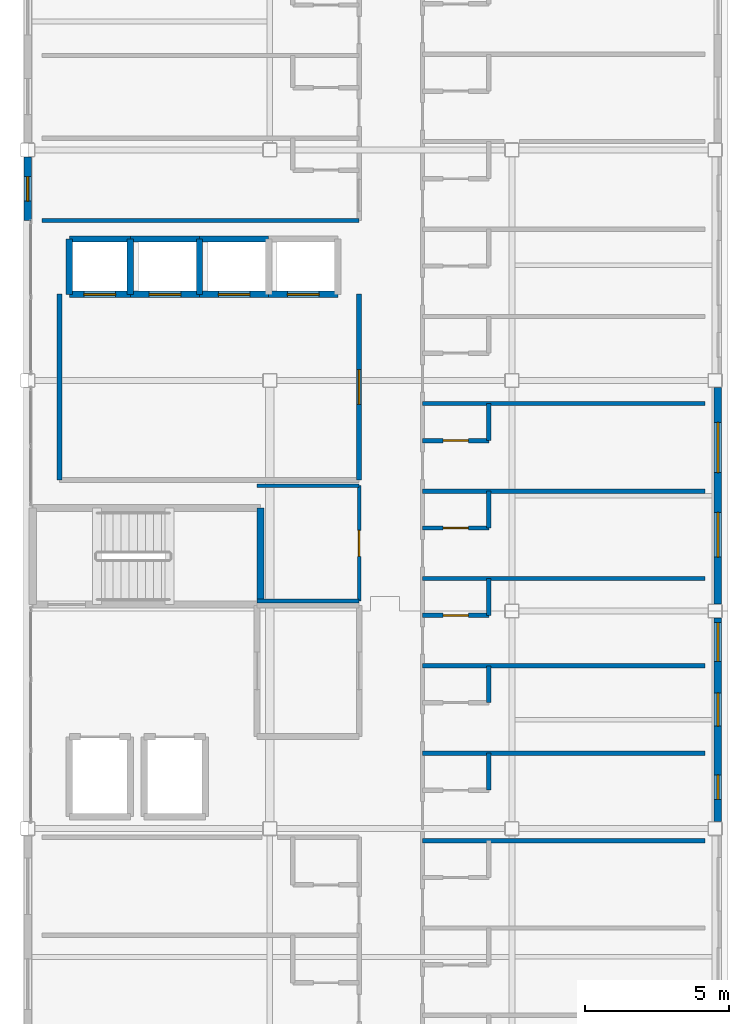
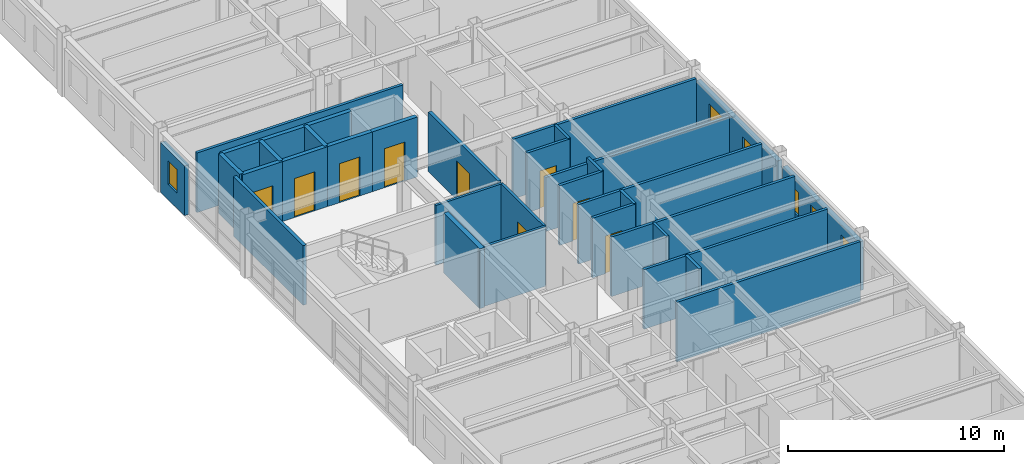
# One storey, part 27 of 33: 34 walls, 9 doors, 6 windows, 15 openings.
"""IFC4 building model written with IfcOpenShell, lengths in metres."""

from ifc_helpers import new_model, si_unit, direction, frame, frame_2d, origin, place, context, subcontext, project, spatial, rectangle, extrude, material, layer, layer_set, type_object, element, fill, save


model = new_model("IFC4")

# Units and contexts
model_context = context("Model", 3, precision=1e-05, world=origin(), true_north=direction((0.0, 1.0)))
body_context = subcontext(model_context, "Body", "Model", "MODEL_VIEW")
ifc_project = project(units=[si_unit("LENGTHUNIT", "METRE"), si_unit("AREAUNIT", "SQUARE_METRE"), si_unit("VOLUMEUNIT", "CUBIC_METRE"), si_unit("PLANEANGLEUNIT", "RADIAN"), si_unit("MASSUNIT", "GRAM", prefix="KILO")], contexts=[model_context])

# Site, building, storey
site_placement = place(None, origin())
site = spatial("IfcSite", under=ifc_project, at=site_placement, CompositionType="ELEMENT")
building_placement = place(site_placement, origin())
building = spatial("IfcBuilding", under=site, at=building_placement, Name="Kazehara Bluff Congress Hotel", CompositionType="ELEMENT")
storey_placement = place(building_placement, frame((0.0, 0.0, 39.0)))
storey = spatial("IfcBuildingStorey", under=building, at=storey_placement, Name="L09", CompositionType="ELEMENT", Elevation=39.0)

# Wall
ifc_material_1 = material(Name="Concrete C40/50", Category="concrete")
ifc_layer_1 = layer(ifc_material_1, 0.25)
ifc_layer_set_1 = layer_set([ifc_layer_1], Name="Concrete C40/50")
wall_type_1 = type_object("IfcWallType", Name="TP-CW-RC", PredefinedType="SHEAR", material=ifc_layer_set_1)
wall_1_placement = place(storey_placement, frame((151.77490234375, 52.02490234375, 0.0), z_axis=(0.0, 0.0, 1.0), x_axis=(0.0, -1.0, 0.0)))
element("IfcWall", 1, at=wall_1_placement, inside=storey, type_object=wall_type_1, Name="L09 ST-11 core wall far", PredefinedType="SHEAR", context=body_context, shape_type="SweptSolid", body=[
    extrude(rectangle(XDim=3.349853515625, YDim=0.25, at=frame_2d((1.6748046875, 0.0))), origin(), (0.0, 0.0, 1.0), 3.3798828125),
])

# Wall, openings, windows
ifc_material_2 = material(Name="Precast concrete C40/50", Category="concrete")
ifc_layer_2 = layer(ifc_material_2, 0.260009765625)
ifc_layer_set_2 = layer_set([ifc_layer_2], Name="Precast concrete C40/50")
wall_type_2 = type_object("IfcWallType", Name="TP-EW-260", PredefinedType="SOLIDWALL", material=ifc_layer_set_2)
wall_2_placement = place(storey_placement, frame((167.64990234375, 48.199951171875, 0.0), z_axis=(0.0, 0.0, 1.0), x_axis=(0.0, -1.0, 0.0)))
wall_2 = element("IfcWall", 2, at=wall_2_placement, inside=storey, type_object=wall_type_2, Name="L09 hotel facade panel 134", PredefinedType="SOLIDWALL", context=body_context, shape_type="SweptSolid", body=[
    extrude(rectangle(XDim=7.050048828125, YDim=0.260009765625, at=frame_2d((3.52490234375, 0.0))), origin(), (0.0, 0.0, 1.0), 2.7548828125),
])
opening_1_placement = place(wall_2_placement, frame((5.43994140625, 0.0, 0.85009765625)))
opening_1 = element("IfcOpeningElement", 3, at=opening_1_placement, cuts=wall_2, Name="Opening WN-55", PredefinedType="OPENING", context=body_context, shape_type="SweptSolid", body=[
    extrude(rectangle(XDim=0.85009765625, YDim=1.35009765625, at=frame_2d((0.425048828125, 0.675048828125))), frame((0.0, 0.139892578125, 0.0), z_axis=(0.0, -1.0, 0.0), x_axis=(1.0, 0.0, 0.0)), (0.0, 0.0, 1.0), 0.280029296875),
])
opening_2_placement = place(wall_2_placement, frame((2.590087890625, 0.0, 0.85009765625)))
opening_2 = element("IfcOpeningElement", 4, at=opening_2_placement, cuts=wall_2, Name="Opening WN-01", PredefinedType="OPENING", context=body_context, shape_type="SweptSolid", body=[
    extrude(rectangle(XDim=1.14990234375, YDim=1.35009765625, at=frame_2d((0.574951171875, 0.675048828125))), frame((0.0, 0.139892578125, 0.0), z_axis=(0.0, -1.0, 0.0), x_axis=(1.0, 0.0, 0.0)), (0.0, 0.0, 1.0), 0.280029296875),
])
opening_3_placement = place(wall_2_placement, frame((0.14990234375, 0.0, 0.85009765625)))
opening_3 = element("IfcOpeningElement", 5, at=opening_3_placement, cuts=wall_2, Name="Opening WN-11", PredefinedType="OPENING", context=body_context, shape_type="SweptSolid", body=[
    extrude(rectangle(XDim=1.35009765625, YDim=1.35009765625, at=frame_2d((0.675048828125, 0.675048828125))), frame((0.0, 0.139892578125, 0.0), z_axis=(0.0, -1.0, 0.0), x_axis=(1.0, 0.0, 0.0)), (0.0, 0.0, 1.0), 0.280029296875),
])
ifc_material_3 = material(Name="Insulated low-E double glazing", Category="glass")
window_type_1 = type_object("IfcWindowType", Name="TP-WN-01", PartitioningType="SINGLE_PANEL", PredefinedType="WINDOW", material=ifc_material_3)
window_1_placement = place(opening_2_placement, origin())
window_1 = element("IfcWindow", 6, at=window_1_placement, inside=storey, type_object=window_type_1, Name="L09 guestroom window WN-01 263", OverallHeight=1.35009765625, OverallWidth=1.14990234375, PartitioningType="SINGLE_PANEL", PredefinedType="WINDOW", context=body_context, shape_type="SweptSolid", body=[
    extrude(rectangle(XDim=1.14990234375, YDim=1.35009765625, at=frame_2d((0.574951171875, 0.675048828125))), frame((0.0, 0.030029296875, 0.0), z_axis=(0.0, -1.0, 0.0), x_axis=(1.0, 0.0, 0.0)), (0.0, 0.0, 1.0), 0.06005859375),
])
fill(opening_2, window_1)
ifc_material_4 = material(Name="Insulated low-E double glazing", Category="glass")
window_type_2 = type_object("IfcWindowType", Name="TP-WN-11", PartitioningType="SINGLE_PANEL", PredefinedType="WINDOW", material=ifc_material_4)
window_2_placement = place(opening_3_placement, origin())
window_2 = element("IfcWindow", 7, at=window_2_placement, inside=storey, type_object=window_type_2, Name="L09 guestroom window WN-11 264", OverallHeight=1.35009765625, OverallWidth=1.35009765625, PartitioningType="SINGLE_PANEL", PredefinedType="WINDOW", context=body_context, shape_type="SweptSolid", body=[
    extrude(rectangle(XDim=1.35009765625, YDim=1.35009765625, at=frame_2d((0.675048828125, 0.675048828125))), frame((0.0, 0.030029296875, 0.0), z_axis=(0.0, -1.0, 0.0), x_axis=(1.0, 0.0, 0.0)), (0.0, 0.0, 1.0), 0.06005859375),
])
fill(opening_3, window_2)
ifc_material_5 = material(Name="Insulated low-E double glazing", Category="glass")
window_type_3 = type_object("IfcWindowType", Name="TP-WN-55", PartitioningType="SINGLE_PANEL", PredefinedType="WINDOW", material=ifc_material_5)
window_3_placement = place(opening_1_placement, origin())
window_3 = element("IfcWindow", 8, at=window_3_placement, inside=storey, type_object=window_type_3, Name="L09 guestroom window WN-55 262", OverallHeight=1.35009765625, OverallWidth=0.85009765625, PartitioningType="SINGLE_PANEL", PredefinedType="WINDOW", context=body_context, shape_type="SweptSolid", body=[
    extrude(rectangle(XDim=0.85009765625, YDim=1.35009765625, at=frame_2d((0.425048828125, 0.675048828125))), frame((0.0, 0.030029296875, 0.0), z_axis=(0.0, -1.0, 0.0), x_axis=(1.0, 0.0, 0.0)), (0.0, 0.0, 1.0), 0.06005859375),
])
fill(opening_1, window_3)

wall_3_placement = place(storey_placement, frame((167.64990234375, 56.199951171875, 0.0), z_axis=(0.0, 0.0, 1.0), x_axis=(0.0, -1.0, 0.0)))
wall_3 = element("IfcWall", 9, at=wall_3_placement, inside=storey, type_object=wall_type_2, Name="L09 hotel facade panel 135", PredefinedType="SOLIDWALL", context=body_context, shape_type="SweptSolid", body=[
    extrude(rectangle(XDim=7.5, YDim=0.260009765625, at=frame_2d((3.75, 0.0))), origin(), (0.0, 0.0, 1.0), 2.7548828125),
])
opening_4_placement = place(wall_3_placement, frame((4.330078125, 0.0, 0.85009765625)))
opening_4 = element("IfcOpeningElement", 10, at=opening_4_placement, cuts=wall_3, Name="Opening WN-21", PredefinedType="OPENING", context=body_context, shape_type="SweptSolid", body=[
    extrude(rectangle(XDim=1.550048828125, YDim=1.35009765625, at=frame_2d((0.77490234375, 0.675048828125))), frame((0.0, 0.139892578125, 0.0), z_axis=(0.0, -1.0, 0.0), x_axis=(1.0, 0.0, 0.0)), (0.0, 0.0, 1.0), 0.280029296875),
])
opening_5_placement = place(wall_3_placement, frame((1.199951171875, 0.0, 0.85009765625)))
opening_5 = element("IfcOpeningElement", 11, at=opening_5_placement, cuts=wall_3, Name="Opening WN-31", PredefinedType="OPENING", context=body_context, shape_type="SweptSolid", body=[
    extrude(rectangle(XDim=1.75, YDim=1.35009765625, at=frame_2d((0.875, 0.675048828125))), frame((0.0, 0.139892578125, 0.0), z_axis=(0.0, -1.0, 0.0), x_axis=(1.0, 0.0, 0.0)), (0.0, 0.0, 1.0), 0.280029296875),
])
ifc_material_6 = material(Name="Insulated low-E double glazing", Category="glass")
window_type_4 = type_object("IfcWindowType", Name="TP-WN-21", PartitioningType="SINGLE_PANEL", PredefinedType="WINDOW", material=ifc_material_6)
window_4_placement = place(opening_4_placement, origin())
window_4 = element("IfcWindow", 12, at=window_4_placement, inside=storey, type_object=window_type_4, Name="L09 guestroom window WN-21 265", OverallHeight=1.35009765625, OverallWidth=1.550048828125, PartitioningType="SINGLE_PANEL", PredefinedType="WINDOW", context=body_context, shape_type="SweptSolid", body=[
    extrude(rectangle(XDim=1.550048828125, YDim=1.35009765625, at=frame_2d((0.77490234375, 0.675048828125))), frame((0.0, 0.030029296875, 0.0), z_axis=(0.0, -1.0, 0.0), x_axis=(1.0, 0.0, 0.0)), (0.0, 0.0, 1.0), 0.06005859375),
])
fill(opening_4, window_4)
ifc_material_7 = material(Name="Insulated low-E double glazing", Category="glass")
window_type_5 = type_object("IfcWindowType", Name="TP-WN-31", PartitioningType="SINGLE_PANEL", PredefinedType="WINDOW", material=ifc_material_7)
window_5_placement = place(opening_5_placement, origin())
window_5 = element("IfcWindow", 13, at=window_5_placement, inside=storey, type_object=window_type_5, Name="L09 guestroom window WN-31 266", OverallHeight=1.35009765625, OverallWidth=1.75, PartitioningType="SINGLE_PANEL", PredefinedType="WINDOW", context=body_context, shape_type="SweptSolid", body=[
    extrude(rectangle(XDim=1.75, YDim=1.35009765625, at=frame_2d((0.875, 0.675048828125))), frame((0.0, 0.030029296875, 0.0), z_axis=(0.0, -1.0, 0.0), x_axis=(1.0, 0.0, 0.0)), (0.0, 0.0, 1.0), 0.06005859375),
])
fill(opening_5, window_5)

# Wall, opening, window
wall_4_placement = place(storey_placement, frame((143.699951171875, 62.0, 0.0), z_axis=(0.0, 0.0, 1.0), x_axis=(0.0, 1.0, 0.0)))
wall_4 = element("IfcWall", 14, at=wall_4_placement, inside=storey, type_object=wall_type_2, Name="L09 hotel facade panel 145", PredefinedType="SOLIDWALL", context=body_context, shape_type="SweptSolid", body=[
    extrude(rectangle(XDim=2.199951171875, YDim=0.260009765625, at=frame_2d((1.10009765625, 0.0))), origin(), (0.0, 0.0, 1.0), 2.804931640625),
])
opening_6_placement = place(wall_4_placement, frame((0.675048828125, 0.0, 0.85009765625)))
opening_6 = element("IfcOpeningElement", 15, at=opening_6_placement, cuts=wall_4, Name="Opening WN-55", PredefinedType="OPENING", context=body_context, shape_type="SweptSolid", body=[
    extrude(rectangle(XDim=0.85009765625, YDim=1.35009765625, at=frame_2d((0.425048828125, 0.675048828125))), frame((0.0, 0.139892578125, 0.0), z_axis=(0.0, -1.0, 0.0), x_axis=(1.0, 0.0, 0.0)), (0.0, 0.0, 1.0), 0.280029296875),
])
window_6_placement = place(opening_6_placement, origin())
window_6 = element("IfcWindow", 16, at=window_6_placement, inside=storey, type_object=window_type_3, Name="L09 guestroom window WN-55 283", OverallHeight=1.35009765625, OverallWidth=0.85009765625, PartitioningType="SINGLE_PANEL", PredefinedType="WINDOW", context=body_context, shape_type="SweptSolid", body=[
    extrude(rectangle(XDim=0.85009765625, YDim=1.35009765625, at=frame_2d((0.425048828125, 0.675048828125))), frame((0.0, 0.030029296875, 0.0), z_axis=(0.0, -1.0, 0.0), x_axis=(1.0, 0.0, 0.0)), (0.0, 0.0, 1.0), 0.06005859375),
])
fill(opening_6, window_6)

# Walls
ifc_material_8 = material(Name="Fire-rated gypsum board stud partition")
ifc_layer_3 = layer(ifc_material_8, 0.1298828125)
ifc_layer_set_3 = layer_set([ifc_layer_3], Name="Fire-rated gypsum board stud partition")
wall_type_3 = type_object("IfcWallType", Name="TP-PT-130", PredefinedType="PARTITIONING", material=ifc_layer_set_3)
for number, where, z_axis, x_axis, name in (
    (17, (151.64990234375, 48.800048828125, 0.0), (0.0, 0.0, 1.0), (1.0, 0.0, 0.0), "L09 partition PT-130 1213"),
    (18, (151.64990234375, 52.800048828125, 0.0), (0.0, 0.0, 1.0), (1.0, 0.0, 0.0), "L09 partition PT-130 1217"),
):
    element("IfcWall", number, at=place(storey_placement, frame(where, z_axis=z_axis, x_axis=x_axis)), inside=storey, type_object=wall_type_3, Name=name, PredefinedType="PARTITIONING", context=body_context, shape_type="SweptSolid", body=[
        extrude(rectangle(XDim=3.550048828125, YDim=0.1298828125, at=frame_2d((1.77490234375, 0.0))), origin(), (0.0, 0.0, 1.0), 3.364990234375),
    ])

# Wall, opening, door
wall_5_placement = place(storey_placement, frame((155.199951171875, 48.800048828125, 0.0), z_axis=(0.0, 0.0, 1.0), x_axis=(0.0, 1.0, 0.0)))
wall_5 = element("IfcWall", 19, at=wall_5_placement, inside=storey, type_object=wall_type_3, Name="L09 partition PT-130 1288", PredefinedType="PARTITIONING", context=body_context, shape_type="SweptSolid", body=[
    extrude(rectangle(XDim=4.0, YDim=0.1298828125, at=frame_2d((2.0, 0.0))), origin(), (0.0, 0.0, 1.0), 3.364990234375),
])
opening_7_placement = place(wall_5_placement, frame((1.550048828125, 0.0, 0.0)))
opening_7 = element("IfcOpeningElement", 20, at=opening_7_placement, cuts=wall_5, Name="Opening ID-01", PredefinedType="OPENING", context=body_context, shape_type="SweptSolid", body=[
    extrude(rectangle(XDim=0.89990234375, YDim=2.14990234375, at=frame_2d((0.449951171875, 1.074951171875))), frame((0.0, 0.074951171875, 0.0), z_axis=(0.0, -1.0, 0.0), x_axis=(1.0, 0.0, 0.0)), (0.0, 0.0, 1.0), 0.14990234375),
])
ifc_material_9 = material(Name="Architectural oak veneer leaf")
door_type_1 = type_object("IfcDoorType", Name="TP-ID-01", OperationType="NOTDEFINED", PredefinedType="DOOR", material=ifc_material_9)
door_1_placement = place(opening_7_placement, origin())
door_1 = element("IfcDoor", 21, at=door_1_placement, inside=storey, type_object=door_type_1, Name="L09 L09 Housekeeping and Linen Room door", OperationType="SINGLE_SWING_RIGHT", OverallHeight=2.14990234375, OverallWidth=0.89990234375, PredefinedType="DOOR", context=body_context, shape_type="SweptSolid", body=[
    extrude(rectangle(XDim=0.89990234375, YDim=2.14990234375, at=frame_2d((0.449951171875, 1.074951171875))), frame((0.0, 0.02490234375, 0.0), z_axis=(0.0, -1.0, 0.0), x_axis=(1.0, 0.0, 0.0)), (0.0, 0.0, 1.0), 0.050048828125),
])
fill(opening_7, door_1)

# Walls
ifc_material_10 = material(Name="Fire-rated gypsum board stud partition")
ifc_layer_4 = layer(ifc_material_10, 0.14990234375)
ifc_layer_set_4 = layer_set([ifc_layer_4], Name="Fire-rated gypsum board stud partition")
wall_type_4 = type_object("IfcWallType", Name="TP-PT-150", PredefinedType="PARTITIONING", material=ifc_layer_set_4)
for number, where, z_axis, x_axis, name in (
    (22, (157.39990234375, 40.47998046875, 0.0), (0.0, 0.0, 1.0), (1.0, 0.0, 0.0), "L09 partition PT-150 1203"),
    (23, (157.39990234375, 43.52001953125, 0.0), (0.0, 0.0, 1.0), (1.0, 0.0, 0.0), "L09 partition PT-150 1207"),
    (24, (157.39990234375, 46.550048828125, 0.0), (0.0, 0.0, 1.0), (1.0, 0.0, 0.0), "L09 partition PT-150 1210"),
):
    element("IfcWall", number, at=place(storey_placement, frame(where, z_axis=z_axis, x_axis=x_axis)), inside=storey, type_object=wall_type_4, Name=name, PredefinedType="PARTITIONING", context=body_context, shape_type="SweptSolid", body=[
        extrude(rectangle(XDim=9.800048828125, YDim=0.14990234375, at=frame_2d((4.89990234375, 0.0))), origin(), (0.0, 0.0, 1.0), 3.364990234375),
    ])

# Wall, opening, door
wall_6_placement = place(storey_placement, frame((157.39990234375, 48.300048828125, 0.0), z_axis=(0.0, 0.0, 1.0), x_axis=(1.0, 0.0, 0.0)))
wall_6 = element("IfcWall", 25, at=wall_6_placement, inside=storey, type_object=wall_type_4, Name="L09 partition PT-150 1211", PredefinedType="PARTITIONING", context=body_context, shape_type="SweptSolid", body=[
    extrude(rectangle(XDim=2.300048828125, YDim=0.14990234375, at=frame_2d((1.14990234375, 0.0))), origin(), (0.0, 0.0, 1.0), 3.364990234375),
])
opening_8_placement = place(wall_6_placement, frame((0.7099609375, 0.0, 0.0)))
opening_8 = element("IfcOpeningElement", 26, at=opening_8_placement, cuts=wall_6, Name="Opening BD-02", PredefinedType="OPENING", context=body_context, shape_type="SweptSolid", body=[
    extrude(rectangle(XDim=0.8798828125, YDim=2.1201171875, at=frame_2d((0.43994140625, 1.06005859375))), frame((0.0, 0.0849609375, 0.0), z_axis=(0.0, -1.0, 0.0), x_axis=(1.0, 0.0, 0.0)), (0.0, 0.0, 1.0), 0.169921875),
])
ifc_material_11 = material(Name="Architectural oak veneer leaf")
door_type_2 = type_object("IfcDoorType", Name="TP-BD-02", OperationType="NOTDEFINED", PredefinedType="DOOR", material=ifc_material_11)
door_2_placement = place(opening_8_placement, origin())
door_2 = element("IfcDoor", 27, at=door_2_placement, inside=storey, type_object=door_type_2, Name="L09 En-suite Bathroom 285 door", OperationType="SINGLE_SWING_RIGHT", OverallHeight=2.1201171875, OverallWidth=0.8798828125, PredefinedType="DOOR", context=body_context, shape_type="SweptSolid", body=[
    extrude(rectangle(XDim=0.8798828125, YDim=2.1201171875, at=frame_2d((0.43994140625, 1.06005859375))), frame((0.0, 0.02490234375, 0.0), z_axis=(0.0, -1.0, 0.0), x_axis=(1.0, 0.0, 0.0)), (0.0, 0.0, 1.0), 0.050048828125),
])
fill(opening_8, door_2)

# Wall
wall_7_placement = place(storey_placement, frame((157.39990234375, 49.580078125, 0.0), z_axis=(0.0, 0.0, 1.0), x_axis=(1.0, 0.0, 0.0)))
element("IfcWall", 28, at=wall_7_placement, inside=storey, type_object=wall_type_4, Name="L09 partition PT-150 1214", PredefinedType="PARTITIONING", context=body_context, shape_type="SweptSolid", body=[
    extrude(rectangle(XDim=9.800048828125, YDim=0.14990234375, at=frame_2d((4.89990234375, 0.0))), origin(), (0.0, 0.0, 1.0), 3.364990234375),
])

# Wall, opening, door
wall_8_placement = place(storey_placement, frame((157.39990234375, 51.330078125, 0.0), z_axis=(0.0, 0.0, 1.0), x_axis=(1.0, 0.0, 0.0)))
wall_8 = element("IfcWall", 29, at=wall_8_placement, inside=storey, type_object=wall_type_4, Name="L09 partition PT-150 1215", PredefinedType="PARTITIONING", context=body_context, shape_type="SweptSolid", body=[
    extrude(rectangle(XDim=2.300048828125, YDim=0.14990234375, at=frame_2d((1.14990234375, 0.0))), origin(), (0.0, 0.0, 1.0), 3.364990234375),
])
opening_9_placement = place(wall_8_placement, frame((0.7099609375, 0.0, 0.0)))
opening_9 = element("IfcOpeningElement", 30, at=opening_9_placement, cuts=wall_8, Name="Opening BD-02", PredefinedType="OPENING", context=body_context, shape_type="SweptSolid", body=[
    extrude(rectangle(XDim=0.8798828125, YDim=2.1201171875, at=frame_2d((0.43994140625, 1.06005859375))), frame((0.0, 0.0849609375, 0.0), z_axis=(0.0, -1.0, 0.0), x_axis=(1.0, 0.0, 0.0)), (0.0, 0.0, 1.0), 0.169921875),
])
door_3_placement = place(opening_9_placement, origin())
door_3 = element("IfcDoor", 31, at=door_3_placement, inside=storey, type_object=door_type_2, Name="L09 En-suite Bathroom 286 door", OperationType="SINGLE_SWING_RIGHT", OverallHeight=2.1201171875, OverallWidth=0.8798828125, PredefinedType="DOOR", context=body_context, shape_type="SweptSolid", body=[
    extrude(rectangle(XDim=0.8798828125, YDim=2.1201171875, at=frame_2d((0.43994140625, 1.06005859375))), frame((0.0, 0.02490234375, 0.0), z_axis=(0.0, -1.0, 0.0), x_axis=(1.0, 0.0, 0.0)), (0.0, 0.0, 1.0), 0.050048828125),
])
fill(opening_9, door_3)

# Wall
wall_9_placement = place(storey_placement, frame((157.39990234375, 52.610107421875, 0.0), z_axis=(0.0, 0.0, 1.0), x_axis=(1.0, 0.0, 0.0)))
element("IfcWall", 32, at=wall_9_placement, inside=storey, type_object=wall_type_4, Name="L09 partition PT-150 1216", PredefinedType="PARTITIONING", context=body_context, shape_type="SweptSolid", body=[
    extrude(rectangle(XDim=9.800048828125, YDim=0.14990234375, at=frame_2d((4.89990234375, 0.0))), origin(), (0.0, 0.0, 1.0), 3.054931640625),
])

# Wall, opening, door
wall_10_placement = place(storey_placement, frame((157.39990234375, 54.360107421875, 0.0), z_axis=(0.0, 0.0, 1.0), x_axis=(1.0, 0.0, 0.0)))
wall_10 = element("IfcWall", 33, at=wall_10_placement, inside=storey, type_object=wall_type_4, Name="L09 partition PT-150 1219", PredefinedType="PARTITIONING", context=body_context, shape_type="SweptSolid", body=[
    extrude(rectangle(XDim=2.300048828125, YDim=0.14990234375, at=frame_2d((1.14990234375, 0.0))), origin(), (0.0, 0.0, 1.0), 3.364990234375),
])
opening_10_placement = place(wall_10_placement, frame((0.7099609375, 0.0, 0.0)))
opening_10 = element("IfcOpeningElement", 34, at=opening_10_placement, cuts=wall_10, Name="Opening BD-02", PredefinedType="OPENING", context=body_context, shape_type="SweptSolid", body=[
    extrude(rectangle(XDim=0.8798828125, YDim=2.1201171875, at=frame_2d((0.43994140625, 1.06005859375))), frame((0.0, 0.0849609375, 0.0), z_axis=(0.0, -1.0, 0.0), x_axis=(1.0, 0.0, 0.0)), (0.0, 0.0, 1.0), 0.169921875),
])
door_4_placement = place(opening_10_placement, origin())
door_4 = element("IfcDoor", 35, at=door_4_placement, inside=storey, type_object=door_type_2, Name="L09 En-suite Bathroom 287 door", OperationType="SINGLE_SWING_RIGHT", OverallHeight=2.1201171875, OverallWidth=0.8798828125, PredefinedType="DOOR", context=body_context, shape_type="SweptSolid", body=[
    extrude(rectangle(XDim=0.8798828125, YDim=2.1201171875, at=frame_2d((0.43994140625, 1.06005859375))), frame((0.0, 0.02490234375, 0.0), z_axis=(0.0, -1.0, 0.0), x_axis=(1.0, 0.0, 0.0)), (0.0, 0.0, 1.0), 0.050048828125),
])
fill(opening_10, door_4)

# Walls
wall_11_placement = place(storey_placement, frame((157.39990234375, 55.64990234375, 0.0), z_axis=(0.0, 0.0, 1.0), x_axis=(1.0, 0.0, 0.0)))
element("IfcWall", 36, at=wall_11_placement, inside=storey, type_object=wall_type_4, Name="L09 partition PT-150 1220", PredefinedType="PARTITIONING", context=body_context, shape_type="SweptSolid", body=[
    extrude(rectangle(XDim=9.800048828125, YDim=0.14990234375, at=frame_2d((4.89990234375, 0.0))), origin(), (0.0, 0.0, 1.0), 3.364990234375),
])
wall_12_placement = place(storey_placement, frame((144.199951171875, 62.0, 0.0), z_axis=(0.0, 0.0, 1.0), x_axis=(1.0, 0.0, 0.0)))
element("IfcWall", 37, at=wall_12_placement, inside=storey, type_object=wall_type_4, Name="L09 partition PT-150 1225", PredefinedType="PARTITIONING", context=body_context, shape_type="SweptSolid", body=[
    extrude(rectangle(XDim=11.0, YDim=0.14990234375, at=frame_2d((5.5, 0.0))), origin(), (0.0, 0.0, 1.0), 3.364990234375),
])
wall_13_placement = place(storey_placement, frame((159.699951171875, 42.235107421875, 0.0), z_axis=(0.0, 0.0, 1.0), x_axis=(0.0, 1.0, 0.0)))
element("IfcWall", 38, at=wall_13_placement, inside=storey, type_object=wall_type_4, Name="L09 partition PT-150 1303", PredefinedType="PARTITIONING", context=body_context, shape_type="SweptSolid", body=[
    extrude(rectangle(XDim=1.284912109375, YDim=0.14990234375, at=frame_2d((0.642578125, 0.0))), origin(), (0.0, 0.0, 1.0), 3.364990234375),
])
for number, where, z_axis, x_axis, name in (
    (39, (159.699951171875, 45.27001953125, 0.0), (0.0, 0.0, 1.0), (0.0, 1.0, 0.0), "L09 partition PT-150 1304"),
    (40, (159.699951171875, 48.300048828125, 0.0), (0.0, 0.0, 1.0), (0.0, 1.0, 0.0), "L09 partition PT-150 1305"),
    (41, (159.699951171875, 51.330078125, 0.0), (0.0, 0.0, 1.0), (0.0, 1.0, 0.0), "L09 partition PT-150 1306"),
):
    element("IfcWall", number, at=place(storey_placement, frame(where, z_axis=z_axis, x_axis=x_axis)), inside=storey, type_object=wall_type_4, Name=name, PredefinedType="PARTITIONING", context=body_context, shape_type="SweptSolid", body=[
        extrude(rectangle(XDim=1.280029296875, YDim=0.14990234375, at=frame_2d((0.64013671875, 0.0))), origin(), (0.0, 0.0, 1.0), 3.364990234375),
    ])
wall_14_placement = place(storey_placement, frame((159.699951171875, 54.360107421875, 0.0), z_axis=(0.0, 0.0, 1.0), x_axis=(0.0, 1.0, 0.0)))
element("IfcWall", 42, at=wall_14_placement, inside=storey, type_object=wall_type_4, Name="L09 partition PT-150 1307", PredefinedType="PARTITIONING", context=body_context, shape_type="SweptSolid", body=[
    extrude(rectangle(XDim=1.284912109375, YDim=0.14990234375, at=frame_2d((0.642578125, 0.0))), origin(), (0.0, 0.0, 1.0), 3.364990234375),
])
ifc_material_12 = material(Name="Fire-rated gypsum board stud partition")
ifc_layer_5 = layer(ifc_material_12, 0.169921875)
ifc_layer_set_5 = layer_set([ifc_layer_5], Name="Fire-rated gypsum board stud partition")
wall_type_5 = type_object("IfcWallType", Name="TP-PT-180", PredefinedType="PARTITIONING", material=ifc_layer_set_5)
wall_15_placement = place(storey_placement, frame((144.800048828125, 53.0, 0.0), z_axis=(0.0, 0.0, 1.0), x_axis=(0.0, 1.0, 0.0)))
element("IfcWall", 43, at=wall_15_placement, inside=storey, type_object=wall_type_5, Name="L09 partition PT-180 1261", PredefinedType="PARTITIONING", context=body_context, shape_type="SweptSolid", body=[
    extrude(rectangle(XDim=6.449951171875, YDim=0.169921875, at=frame_2d((3.22509765625, 0.0))), origin(), (0.0, 0.0, 1.0), 3.364990234375),
])

# Wall, opening, door
wall_16_placement = place(storey_placement, frame((155.199951171875, 53.0, 0.0), z_axis=(0.0, 0.0, 1.0), x_axis=(0.0, 1.0, 0.0)))
wall_16 = element("IfcWall", 44, at=wall_16_placement, inside=storey, type_object=wall_type_5, Name="L09 partition PT-180 1289", PredefinedType="PARTITIONING", context=body_context, shape_type="SweptSolid", body=[
    extrude(rectangle(XDim=6.449951171875, YDim=0.169921875, at=frame_2d((3.22509765625, 0.0))), origin(), (0.0, 0.0, 1.0), 3.364990234375),
])
opening_11_placement = place(wall_16_placement, frame((2.625, 0.0, 0.0)))
opening_11 = element("IfcOpeningElement", 45, at=opening_11_placement, cuts=wall_16, Name="Opening FD-02", PredefinedType="OPENING", context=body_context, shape_type="SweptSolid", body=[
    extrude(rectangle(XDim=1.199951171875, YDim=2.199951171875, at=frame_2d((0.60009765625, 1.10009765625))), frame((0.0, 0.094970703125, 0.0), z_axis=(0.0, -1.0, 0.0), x_axis=(1.0, 0.0, 0.0)), (0.0, 0.0, 1.0), 0.18994140625),
])
ifc_material_13 = material(Name="Fire-rated painted steel leaf", Category="steel")
door_type_3 = type_object("IfcDoorType", Name="TP-FD-02", OperationType="NOTDEFINED", PredefinedType="DOOR", material=ifc_material_13)
door_5_placement = place(opening_11_placement, origin())
door_5 = element("IfcDoor", 46, at=door_5_placement, inside=storey, type_object=door_type_3, Name="L09 Hotel Passenger Lift Lobby door", OperationType="SINGLE_SWING_RIGHT", OverallHeight=2.199951171875, OverallWidth=1.199951171875, PredefinedType="DOOR", context=body_context, shape_type="SweptSolid", body=[
    extrude(rectangle(XDim=1.199951171875, YDim=2.199951171875, at=frame_2d((0.60009765625, 1.10009765625))), frame((0.0, 0.02490234375, 0.0), z_axis=(0.0, -1.0, 0.0), x_axis=(1.0, 0.0, 0.0)), (0.0, 0.0, 1.0), 0.050048828125),
])
fill(opening_11, door_5)

# Wall
ifc_material_14 = material(Name="Concrete C40/50", Category="concrete")
ifc_layer_6 = layer(ifc_material_14, 0.219970703125)
ifc_layer_set_6 = layer_set([ifc_layer_6], Name="Concrete C40/50")
wall_type_6 = type_object("IfcWallType", Name="TP-SW-RC", PredefinedType="SHEAR", material=ifc_layer_set_6)
wall_17_placement = place(storey_placement, frame((145.139892578125, 61.360107421875, 0.0), z_axis=(0.0, 0.0, 1.0), x_axis=(1.0, 0.0, 0.0)))
element("IfcWall", 47, at=wall_17_placement, inside=storey, type_object=wall_type_6, Name="L09 EL-P1 lift shaft wall +Y", PredefinedType="SHEAR", context=body_context, shape_type="SweptSolid", body=[
    extrude(rectangle(XDim=2.1201171875, YDim=0.219970703125, at=frame_2d((1.06005859375, 0.0))), origin(), (0.0, 0.0, 1.0), 3.3798828125),
])

# Wall, opening, door
wall_18_placement = place(storey_placement, frame((145.139892578125, 59.43994140625, 0.0), z_axis=(0.0, 0.0, 1.0), x_axis=(1.0, 0.0, 0.0)))
wall_18 = element("IfcWall", 48, at=wall_18_placement, inside=storey, type_object=wall_type_6, Name="L09 EL-P1 lift shaft wall -Y", PredefinedType="SHEAR", context=body_context, shape_type="SweptSolid", body=[
    extrude(rectangle(XDim=2.1201171875, YDim=0.219970703125, at=frame_2d((1.06005859375, 0.0))), origin(), (0.0, 0.0, 1.0), 3.3798828125),
])
opening_12_placement = place(wall_18_placement, frame((0.510009765625, 0.0, 0.0)))
opening_12 = element("IfcOpeningElement", 49, at=opening_12_placement, cuts=wall_18, Name="Opening LD-01", PredefinedType="OPENING", context=body_context, shape_type="SweptSolid", body=[
    extrude(rectangle(XDim=1.10009765625, YDim=2.199951171875, at=frame_2d((0.550048828125, 1.10009765625))), frame((0.0, 0.119873046875, 0.0), z_axis=(0.0, -1.0, 0.0), x_axis=(1.0, 0.0, 0.0)), (0.0, 0.0, 1.0), 0.239990234375),
])
ifc_material_15 = material(Name="Fire-rated painted steel leaf", Category="steel")
door_type_4 = type_object("IfcDoorType", Name="TP-LD-01", OperationType="SLIDING_TO_LEFT", PredefinedType="DOOR", material=ifc_material_15)
door_6_placement = place(opening_12_placement, origin())
door_6 = element("IfcDoor", 50, at=door_6_placement, inside=storey, type_object=door_type_4, Name="L09 EL-P1 elevator landing door", OperationType="SLIDING_TO_LEFT", OverallHeight=2.199951171875, OverallWidth=1.10009765625, PredefinedType="DOOR", context=body_context, shape_type="SweptSolid", body=[
    extrude(rectangle(XDim=1.10009765625, YDim=2.199951171875, at=frame_2d((0.550048828125, 1.10009765625))), frame((0.0, 0.02490234375, 0.0), z_axis=(0.0, -1.0, 0.0), x_axis=(1.0, 0.0, 0.0)), (0.0, 0.0, 1.0), 0.050048828125),
])
fill(opening_12, door_6)

# Walls
for number, where, z_axis, x_axis, name in (
    (51, (147.260009765625, 59.43994140625, 0.0), (0.0, 0.0, 1.0), (0.0, 1.0, 0.0), "L09 EL-P1 lift shaft wall +X"),
    (52, (145.139892578125, 59.43994140625, 0.0), (0.0, 0.0, 1.0), (0.0, 1.0, 0.0), "L09 EL-P1 lift shaft wall -X"),
):
    element("IfcWall", number, at=place(storey_placement, frame(where, z_axis=z_axis, x_axis=x_axis)), inside=storey, type_object=wall_type_6, Name=name, PredefinedType="SHEAR", context=body_context, shape_type="SweptSolid", body=[
        extrude(rectangle(XDim=1.920166015625, YDim=0.219970703125, at=frame_2d((0.9599609375, 0.0))), origin(), (0.0, 0.0, 1.0), 3.3798828125),
    ])
wall_19_placement = place(storey_placement, frame((147.260009765625, 61.360107421875, 0.0), z_axis=(0.0, 0.0, 1.0), x_axis=(1.0, 0.0, 0.0)))
element("IfcWall", 53, at=wall_19_placement, inside=storey, type_object=wall_type_6, Name="L09 EL-P2 lift shaft wall +Y", PredefinedType="SHEAR", context=body_context, shape_type="SweptSolid", body=[
    extrude(rectangle(XDim=2.39990234375, YDim=0.219970703125, at=frame_2d((1.199951171875, 0.0))), origin(), (0.0, 0.0, 1.0), 3.3798828125),
])

# Wall, opening, door
wall_20_placement = place(storey_placement, frame((147.260009765625, 59.43994140625, 0.0), z_axis=(0.0, 0.0, 1.0), x_axis=(1.0, 0.0, 0.0)))
wall_20 = element("IfcWall", 54, at=wall_20_placement, inside=storey, type_object=wall_type_6, Name="L09 EL-P2 lift shaft wall -Y", PredefinedType="SHEAR", context=body_context, shape_type="SweptSolid", body=[
    extrude(rectangle(XDim=2.39990234375, YDim=0.219970703125, at=frame_2d((1.199951171875, 0.0))), origin(), (0.0, 0.0, 1.0), 3.3798828125),
])
opening_13_placement = place(wall_20_placement, frame((0.64990234375, 0.0, 0.0)))
opening_13 = element("IfcOpeningElement", 55, at=opening_13_placement, cuts=wall_20, Name="Opening LD-01", PredefinedType="OPENING", context=body_context, shape_type="SweptSolid", body=[
    extrude(rectangle(XDim=1.10009765625, YDim=2.199951171875, at=frame_2d((0.550048828125, 1.10009765625))), frame((0.0, 0.119873046875, 0.0), z_axis=(0.0, -1.0, 0.0), x_axis=(1.0, 0.0, 0.0)), (0.0, 0.0, 1.0), 0.239990234375),
])
door_7_placement = place(opening_13_placement, origin())
door_7 = element("IfcDoor", 56, at=door_7_placement, inside=storey, type_object=door_type_4, Name="L09 EL-P2 elevator landing door", OperationType="SLIDING_TO_LEFT", OverallHeight=2.199951171875, OverallWidth=1.10009765625, PredefinedType="DOOR", context=body_context, shape_type="SweptSolid", body=[
    extrude(rectangle(XDim=1.10009765625, YDim=2.199951171875, at=frame_2d((0.550048828125, 1.10009765625))), frame((0.0, 0.02490234375, 0.0), z_axis=(0.0, -1.0, 0.0), x_axis=(1.0, 0.0, 0.0)), (0.0, 0.0, 1.0), 0.050048828125),
])
fill(opening_13, door_7)

# Walls
wall_21_placement = place(storey_placement, frame((149.659912109375, 59.43994140625, 0.0), z_axis=(0.0, 0.0, 1.0), x_axis=(0.0, 1.0, 0.0)))
element("IfcWall", 57, at=wall_21_placement, inside=storey, type_object=wall_type_6, Name="L09 EL-P2 lift shaft wall +X", PredefinedType="SHEAR", context=body_context, shape_type="SweptSolid", body=[
    extrude(rectangle(XDim=1.920166015625, YDim=0.219970703125, at=frame_2d((0.9599609375, 0.0))), origin(), (0.0, 0.0, 1.0), 3.3798828125),
])
wall_22_placement = place(storey_placement, frame((149.659912109375, 61.360107421875, 0.0), z_axis=(0.0, 0.0, 1.0), x_axis=(1.0, 0.0, 0.0)))
element("IfcWall", 58, at=wall_22_placement, inside=storey, type_object=wall_type_6, Name="L09 EL-P3 lift shaft wall +Y", PredefinedType="SHEAR", context=body_context, shape_type="SweptSolid", body=[
    extrude(rectangle(XDim=2.400146484375, YDim=0.219970703125, at=frame_2d((1.2001953125, 0.0))), origin(), (0.0, 0.0, 1.0), 3.3798828125),
])

# Wall, opening, door
wall_23_placement = place(storey_placement, frame((149.659912109375, 59.43994140625, 0.0), z_axis=(0.0, 0.0, 1.0), x_axis=(1.0, 0.0, 0.0)))
wall_23 = element("IfcWall", 59, at=wall_23_placement, inside=storey, type_object=wall_type_6, Name="L09 EL-P3 lift shaft wall -Y", PredefinedType="SHEAR", context=body_context, shape_type="SweptSolid", body=[
    extrude(rectangle(XDim=2.400146484375, YDim=0.219970703125, at=frame_2d((1.2001953125, 0.0))), origin(), (0.0, 0.0, 1.0), 3.3798828125),
])
opening_14_placement = place(wall_23_placement, frame((0.64990234375, 0.0, 0.0)))
opening_14 = element("IfcOpeningElement", 60, at=opening_14_placement, cuts=wall_23, Name="Opening LD-01", PredefinedType="OPENING", context=body_context, shape_type="SweptSolid", body=[
    extrude(rectangle(XDim=1.10009765625, YDim=2.199951171875, at=frame_2d((0.550048828125, 1.10009765625))), frame((0.0, 0.119873046875, 0.0), z_axis=(0.0, -1.0, 0.0), x_axis=(1.0, 0.0, 0.0)), (0.0, 0.0, 1.0), 0.239990234375),
])
door_8_placement = place(opening_14_placement, origin())
door_8 = element("IfcDoor", 61, at=door_8_placement, inside=storey, type_object=door_type_4, Name="L09 EL-P3 elevator landing door", OperationType="SLIDING_TO_LEFT", OverallHeight=2.199951171875, OverallWidth=1.10009765625, PredefinedType="DOOR", context=body_context, shape_type="SweptSolid", body=[
    extrude(rectangle(XDim=1.10009765625, YDim=2.199951171875, at=frame_2d((0.550048828125, 1.10009765625))), frame((0.0, 0.02490234375, 0.0), z_axis=(0.0, -1.0, 0.0), x_axis=(1.0, 0.0, 0.0)), (0.0, 0.0, 1.0), 0.050048828125),
])
fill(opening_14, door_8)

wall_24_placement = place(storey_placement, frame((152.06005859375, 59.43994140625, 0.0), z_axis=(0.0, 0.0, 1.0), x_axis=(1.0, 0.0, 0.0)))
wall_24 = element("IfcWall", 62, at=wall_24_placement, inside=storey, type_object=wall_type_6, Name="L09 EL-P4 lift shaft wall -Y", PredefinedType="SHEAR", context=body_context, shape_type="SweptSolid", body=[
    extrude(rectangle(XDim=2.39990234375, YDim=0.219970703125, at=frame_2d((1.199951171875, 0.0))), origin(), (0.0, 0.0, 1.0), 3.3798828125),
])
opening_15_placement = place(wall_24_placement, frame((0.64990234375, 0.0, 0.0)))
opening_15 = element("IfcOpeningElement", 63, at=opening_15_placement, cuts=wall_24, Name="Opening LD-01", PredefinedType="OPENING", context=body_context, shape_type="SweptSolid", body=[
    extrude(rectangle(XDim=1.10009765625, YDim=2.199951171875, at=frame_2d((0.550048828125, 1.10009765625))), frame((0.0, 0.119873046875, 0.0), z_axis=(0.0, -1.0, 0.0), x_axis=(1.0, 0.0, 0.0)), (0.0, 0.0, 1.0), 0.239990234375),
])
door_9_placement = place(opening_15_placement, origin())
door_9 = element("IfcDoor", 64, at=door_9_placement, inside=storey, type_object=door_type_4, Name="L09 EL-P4 elevator landing door", OperationType="SLIDING_TO_LEFT", OverallHeight=2.199951171875, OverallWidth=1.10009765625, PredefinedType="DOOR", context=body_context, shape_type="SweptSolid", body=[
    extrude(rectangle(XDim=1.10009765625, YDim=2.199951171875, at=frame_2d((0.550048828125, 1.10009765625))), frame((0.0, 0.02490234375, 0.0), z_axis=(0.0, -1.0, 0.0), x_axis=(1.0, 0.0, 0.0)), (0.0, 0.0, 1.0), 0.050048828125),
])
fill(opening_15, door_9)

save(model, "model.ifc")
